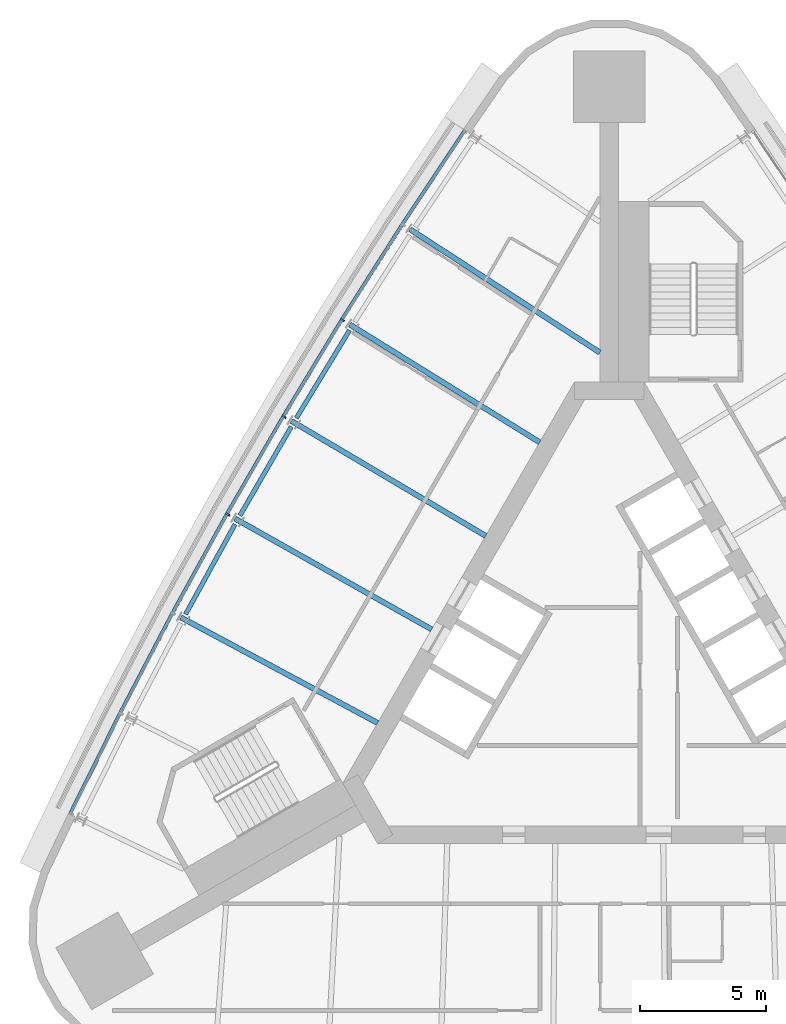
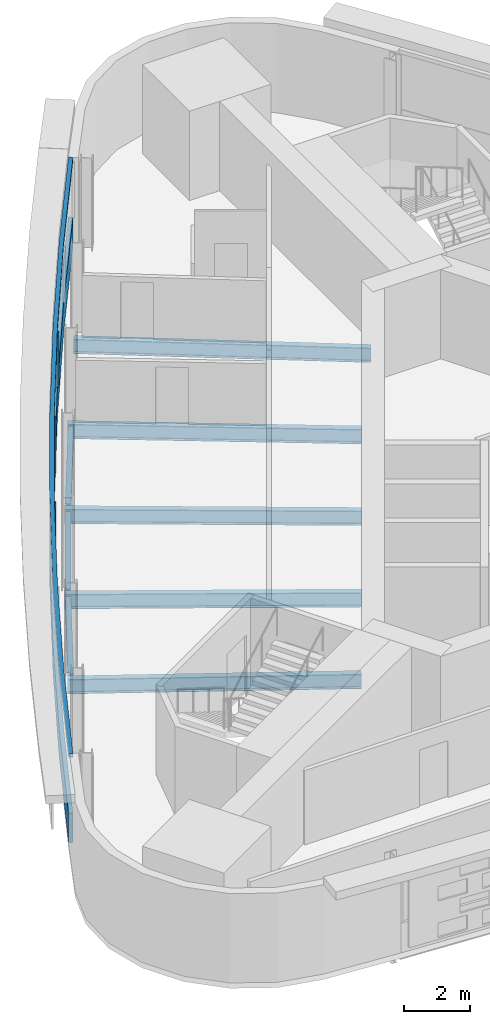
# One storey, part 4 of 12: 8 beams, 5 members, 1 element without a shape of its own.
"""IFC4 building model written with IfcOpenShell, lengths in metres."""

from ifc_helpers import new_model, si_unit, direction, frame, origin, origin_2d, place, context, subcontext, project, spatial, polyline, rectangle, i_section, outline, extrude, material, material_profile, profile_set, type_object, element, aggregate, save


model = new_model("IFC4")

# Units and contexts
model_context = context("Model", 3, precision=1e-05, world=origin(), true_north=direction((0.0, 1.0)))
body_context = subcontext(model_context, "Body", "Model", "MODEL_VIEW")
ifc_project = project(units=[si_unit("LENGTHUNIT", "METRE"), si_unit("AREAUNIT", "SQUARE_METRE"), si_unit("VOLUMEUNIT", "CUBIC_METRE"), si_unit("PLANEANGLEUNIT", "RADIAN"), si_unit("MASSUNIT", "GRAM", prefix="KILO")], contexts=[model_context])

# Site, building, storey
site_placement = place(None, origin())
site = spatial("IfcSite", under=ifc_project, at=site_placement, CompositionType="ELEMENT")
building_placement = place(site_placement, origin())
building = spatial("IfcBuilding", under=site, at=building_placement, Name="Noor Cloister Tower", CompositionType="ELEMENT")
storey_placement = place(building_placement, frame((0.0, 0.0, 165.300048828125)))
storey = spatial("IfcBuildingStorey", under=building, at=storey_placement, Name="L42", CompositionType="ELEMENT", Elevation=165.300048828125)

# Curtain wall, members
ifc_material_1 = material(Name="Aluminium 6063-T6 anodised", Category="aluminium")
curtain_wall_type = type_object("IfcCurtainWallType", Name="Ribbon curtain wall, upper tower CW5", PredefinedType="NOTDEFINED", material=ifc_material_1)
curtain_wall_placement = place(storey_placement, origin())
curtain_wall = element("IfcCurtainWall", 1, at=curtain_wall_placement, inside=storey, type_object=curtain_wall_type, Name="CW5 L42 NW run 1", PredefinedType="NOTDEFINED")
ifc_material_2 = material(Name="Aluminium 6063-T6 anodised", Category="aluminium")
member_type_1 = type_object("IfcMemberType", Name="Head transom CW5 150", PredefinedType="USERDEFINED", material=ifc_material_2)
member_1_placement = place(storey_placement, frame((0.0, 0.0, 3.14990234375)))
member_1 = element("IfcMember", 2, at=member_1_placement, type_object=member_type_1, Name="CW5 head transom", ObjectType="TRANSOM", PredefinedType="USERDEFINED", context=body_context, shape_type="SweptSolid", body=[
    extrude(outline(polyline([(-5.8095703125, 21.5244140625), (-8.2998046875, 17.7763671875), (-10.7109375, 13.97705078125), (-13.0419921875, 10.1279296875), (-15.2919921875, 6.23095703125), (-17.4599609375, 2.28759765625), (-19.544677734375, -1.7001953125), (-21.54541015625, -5.73095703125), (-21.420166015625, -5.793212890625), (-19.419921875, -1.763916015625), (-17.33642578125, 2.221435546875), (-15.170166015625, 6.162109375), (-12.921630859375, 10.056640625), (-10.592041015625, 13.903076171875), (-8.182373046875, 17.7001953125), (-5.69287109375, 21.447021484375), (-5.8095703125, 21.5244140625)])), origin(), (0.0, 0.0, 1.0), 0.150146484375),
])
ifc_material_3 = material(Name="Aluminium 6063-T6 anodised", Category="aluminium")
ifc_material_profile_1 = material_profile(ifc_material_3, rectangle(XDim=0.179931640625, YDim=0.070068359375, at=origin_2d()), Name="180 x 70 mullion")
ifc_profile_set_1 = profile_set([ifc_material_profile_1], Name="Aluminium 6063-T6 anodised")
member_type_2 = type_object("IfcMemberType", Name="Mullion CW5 70 x 180", PredefinedType="MULLION", material=ifc_profile_set_1)
member_2_placement = place(storey_placement, frame((-10.6259765625, 13.92431640625, 1.099853515625), z_axis=(0.0, 0.0, 1.0), x_axis=(0.849890779982, -0.526958880846, 0.0)))
member_2 = element("IfcMember", 3, at=member_2_placement, type_object=member_type_2, Name="CW5 mullion 3", PredefinedType="MULLION", context=body_context, shape_type="SweptSolid", body=[
    extrude(rectangle(XDim=0.179931640625, YDim=0.070068359375, at=origin_2d()), origin(), (0.0, 0.0, 1.0), 2.050048828125),
])
member_3_placement = place(storey_placement, frame((-12.9560546875, 10.076904296875, 1.099853515625), z_axis=(0.0, 0.0, 1.0), x_axis=(0.860741413976, -0.509042452322, 0.0)))
member_3 = element("IfcMember", 4, at=member_3_placement, type_object=member_type_2, Name="CW5 mullion 4", PredefinedType="MULLION", context=body_context, shape_type="SweptSolid", body=[
    extrude(rectangle(XDim=0.179931640625, YDim=0.070068359375, at=origin_2d()), origin(), (0.0, 0.0, 1.0), 2.050048828125),
])
member_4_placement = place(storey_placement, frame((-15.204833984375, 6.181640625, 1.099853515625), z_axis=(0.0, 0.0, 1.0), x_axis=(0.871214402304, -0.490902704432, 0.0)))
member_4 = element("IfcMember", 5, at=member_4_placement, type_object=member_type_2, Name="CW5 mullion 5", PredefinedType="MULLION", context=body_context, shape_type="SweptSolid", body=[
    extrude(rectangle(XDim=0.179931640625, YDim=0.070068359375, at=origin_2d()), origin(), (0.0, 0.0, 1.0), 2.050048828125),
])

# Beams
ifc_material_4 = material(Name="Steel ASTM A992 Gr 50", Category="steel")
ifc_material_profile_2 = material_profile(ifc_material_4, i_section(OverallWidth=0.208984375, OverallDepth=0.532958984375, WebThickness=0.01025390625, FlangeThickness=0.015625, FilletRadius=0.0126953125, at=origin_2d()), Name="W530x92")
ifc_profile_set_2 = profile_set([ifc_material_profile_2], Name="Steel ASTM A992 Gr 50")
beam_type_1 = type_object("IfcBeamType", Name="Radial beam W530x92", PredefinedType="BEAM", material=ifc_profile_set_2)
beam_1_placement = place(storey_placement, frame((-7.92822265625, 17.53515625, -0.466552734375), z_axis=(0.838662793349, -0.544651006657, 0.0), x_axis=(0.544651006657, 0.838662793349, 0.0)))
element("IfcBeam", 6, at=beam_1_placement, inside=storey, type_object=beam_type_1, Name="Radial beam NW 02 L42", PredefinedType="BEAM", context=body_context, shape_type="SweptSolid", body=[
    extrude(i_section(OverallWidth=0.208984375, OverallDepth=0.532958984375, WebThickness=0.01025390625, FlangeThickness=0.015625, FilletRadius=0.0126953125, at=origin_2d()), origin(), (0.0, 0.0, 1.0), 9.00634765625),
])
beam_2_placement = place(storey_placement, frame((-10.33447265625, 13.743408203125, -0.466552734375), z_axis=(0.849896547603, -0.526949578586, 0.0), x_axis=(0.526949578586, 0.849896547603, 0.0)))
element("IfcBeam", 7, at=beam_2_placement, inside=storey, type_object=beam_type_1, Name="Radial beam NW 03 L42", PredefinedType="BEAM", context=body_context, shape_type="SweptSolid", body=[
    extrude(i_section(OverallWidth=0.208984375, OverallDepth=0.532958984375, WebThickness=0.01025390625, FlangeThickness=0.015625, FilletRadius=0.0126953125, at=origin_2d()), origin(), (0.0, 0.0, 1.0), 8.89794921875),
])
for number, where, z_axis, x_axis, name in (
    (8, (-12.660888671875, 9.90234375, -0.466552734375), (0.860751813994, -0.509024866491, 0.0), (0.509024866491, 0.860751813994, 0.0), "Radial beam NW 04 L42"),
    (9, (-14.906005859375, 6.013427734375, -0.466552734375), (0.871204595241, -0.490920108808, 0.0), (0.490920108808, 0.871204595241, 0.0), "Radial beam NW 05 L42"),
):
    element("IfcBeam", number, at=place(storey_placement, frame(where, z_axis=z_axis, x_axis=x_axis)), inside=storey, type_object=beam_type_1, Name=name, PredefinedType="BEAM", context=body_context, shape_type="SweptSolid", body=[
        extrude(i_section(OverallWidth=0.208984375, OverallDepth=0.532958984375, WebThickness=0.01025390625, FlangeThickness=0.015625, FilletRadius=0.0126953125, at=origin_2d()), origin(), (0.0, 0.0, 1.0), 8.988037109375),
    ])
beam_3_placement = place(storey_placement, frame((-17.069580078125, 2.078125, -0.466552734375), z_axis=(0.881310226852, -0.472538129727, 0.0), x_axis=(0.472538129727, 0.881310226852, 0.0)))
element("IfcBeam", 10, at=beam_3_placement, inside=storey, type_object=beam_type_1, Name="Radial beam NW 06 L42", PredefinedType="BEAM", context=body_context, shape_type="SweptSolid", body=[
    extrude(i_section(OverallWidth=0.208984375, OverallDepth=0.532958984375, WebThickness=0.01025390625, FlangeThickness=0.015625, FilletRadius=0.0126953125, at=origin_2d()), origin(), (0.0, 0.0, 1.0), 8.89794921875),
])

# Member
ifc_material_5 = material(Name="Aluminium 6063-T6 anodised", Category="aluminium")
member_type_3 = type_object("IfcMemberType", Name="Sill transom CW5 1100", PredefinedType="USERDEFINED", material=ifc_material_5)
member_5_placement = place(storey_placement, origin())
member_5 = element("IfcMember", 11, at=member_5_placement, type_object=member_type_3, Name="CW5 sill transom", ObjectType="TRANSOM", PredefinedType="USERDEFINED", context=body_context, shape_type="SweptSolid", body=[
    extrude(outline(polyline([(-5.8095703125, 21.5244140625), (-8.2998046875, 17.7763671875), (-10.7109375, 13.97705078125), (-13.0419921875, 10.1279296875), (-15.2919921875, 6.23095703125), (-17.4599609375, 2.28759765625), (-19.544677734375, -1.7001953125), (-21.54541015625, -5.73095703125), (-21.420166015625, -5.793212890625), (-19.419921875, -1.763916015625), (-17.33642578125, 2.221435546875), (-15.170166015625, 6.162109375), (-12.921630859375, 10.056640625), (-10.592041015625, 13.903076171875), (-8.182373046875, 17.7001953125), (-5.69287109375, 21.447021484375), (-5.8095703125, 21.5244140625)])), origin(), (0.0, 0.0, 1.0), 1.099853515625),
])

aggregate(curtain_wall, [member_2, member_3, member_4, member_5, member_1])

# Beams
ifc_material_6 = material(Name="Steel ASTM A992 Gr 50", Category="steel")
ifc_material_profile_3 = material_profile(ifc_material_6, i_section(OverallWidth=0.177978515625, OverallDepth=0.406005859375, WebThickness=0.0078125, FlangeThickness=0.0126953125, FilletRadius=0.01025390625, at=origin_2d()), Name="W410x60")
ifc_profile_set_3 = profile_set([ifc_material_profile_3], Name="Steel ASTM A992 Gr 50")
beam_type_2 = type_object("IfcBeamType", Name="Spandrel beam W410x60", PredefinedType="SPANDREL", material=ifc_profile_set_3)
beam_4_placement = place(storey_placement, frame((-10.346923828125, 13.5166015625, -0.403076171875), z_axis=(-0.518011929621, -0.855373392602, 0.0), x_axis=(0.855373392602, -0.518011929621, 0.0)))
element("IfcBeam", 12, at=beam_4_placement, inside=storey, type_object=beam_type_2, Name="Spandrel beam NW 03 L42", PredefinedType="SPANDREL", context=body_context, shape_type="SweptSolid", body=[
    extrude(i_section(OverallWidth=0.177978515625, OverallDepth=0.406005859375, WebThickness=0.0078125, FlangeThickness=0.0126953125, FilletRadius=0.01025390625, at=origin_2d()), origin(), (0.0, 0.0, 1.0), 4.089599609375),
])
beam_5_placement = place(storey_placement, frame((-12.66845703125, 9.675048828125, -0.403076171875), z_axis=(-0.499998074415, -0.866026515518, 0.0), x_axis=(0.866026515518, -0.499998074415, 0.0)))
element("IfcBeam", 13, at=beam_5_placement, inside=storey, type_object=beam_type_2, Name="Spandrel beam NW 04 L42", PredefinedType="SPANDREL", context=body_context, shape_type="SweptSolid", body=[
    extrude(i_section(OverallWidth=0.177978515625, OverallDepth=0.406005859375, WebThickness=0.0078125, FlangeThickness=0.0126953125, FilletRadius=0.01025390625, at=origin_2d()), origin(), (0.0, 0.0, 1.0), 4.08935546875),
])
beam_6_placement = place(storey_placement, frame((-14.908935546875, 5.7861328125, -0.403076171875), z_axis=(-0.48176061744, -0.876302862875, 0.0), x_axis=(0.876302862875, -0.48176061744, 0.0)))
element("IfcBeam", 14, at=beam_6_placement, inside=storey, type_object=beam_type_2, Name="Spandrel beam NW 05 L42", PredefinedType="SPANDREL", context=body_context, shape_type="SweptSolid", body=[
    extrude(i_section(OverallWidth=0.177978515625, OverallDepth=0.406005859375, WebThickness=0.0078125, FlangeThickness=0.0126953125, FilletRadius=0.01025390625, at=origin_2d()), origin(), (0.0, 0.0, 1.0), 4.089599609375),
])

save(model, "model.ifc")
